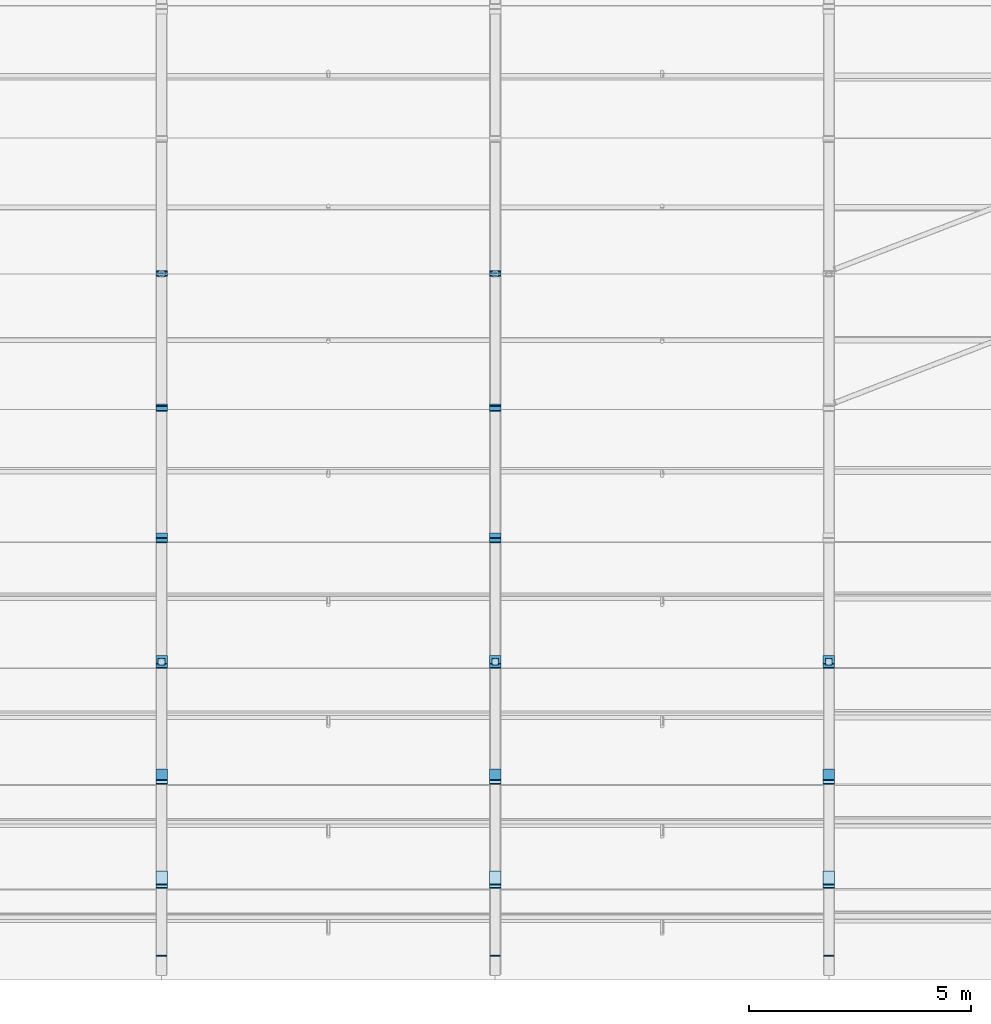
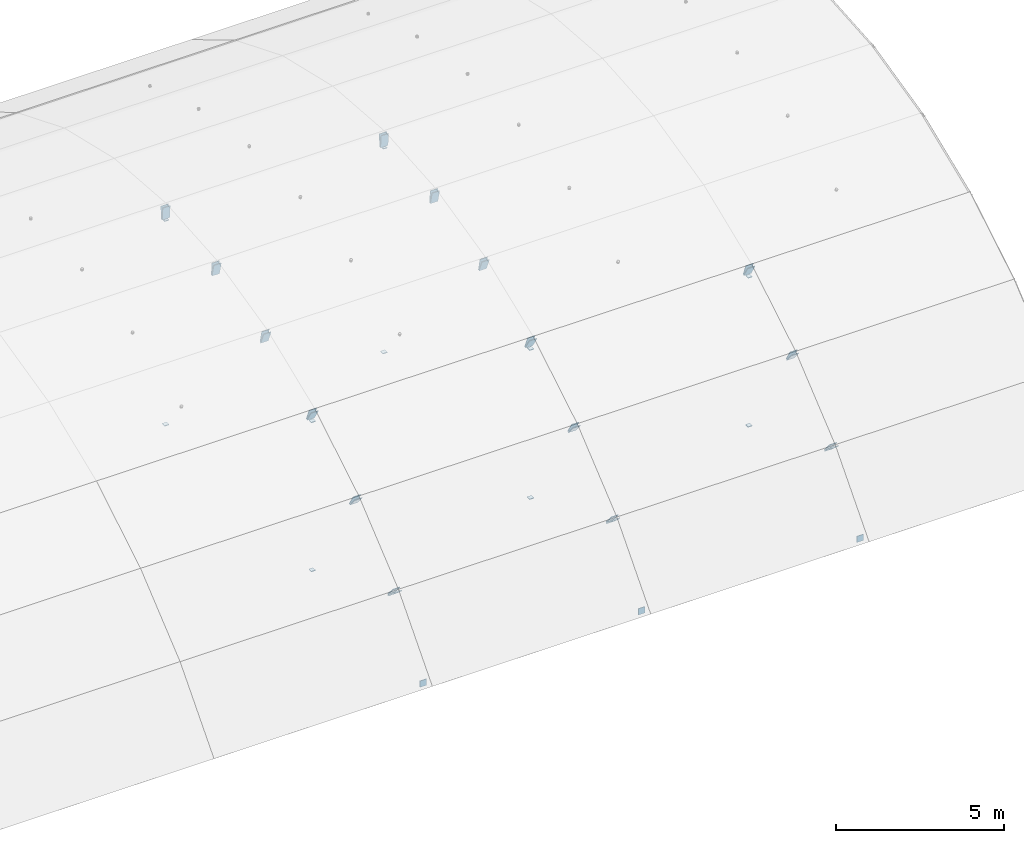
# One storey, part 52 of 77: 43 plates.
"""IFC4 building model written with IfcOpenShell, lengths in metres."""

from ifc_helpers import new_model, si_unit, direction, frame, origin, origin_2d, place, context, subcontext, project, spatial, rectangle, extrude, material, layer, layer_set, type_object, element, save


model = new_model("IFC4")

# Units and contexts
model_context = context("Model", 3, precision=1e-05, world=origin(), true_north=direction((0.0, 1.0)))
body_context = subcontext(model_context, "Body", "Model", "MODEL_VIEW")
ifc_project = project(units=[si_unit("LENGTHUNIT", "METRE"), si_unit("AREAUNIT", "SQUARE_METRE"), si_unit("VOLUMEUNIT", "CUBIC_METRE"), si_unit("PLANEANGLEUNIT", "RADIAN"), si_unit("MASSUNIT", "GRAM", prefix="KILO")], contexts=[model_context])

# Site, building, storey
site_placement = place(None, origin())
site = spatial("IfcSite", under=ifc_project, at=site_placement, CompositionType="ELEMENT")
building_placement = place(site_placement, origin())
building = spatial("IfcBuilding", under=site, at=building_placement, Name="Yukiwa Park Conservatory and Herbarium", CompositionType="ELEMENT")
storey_placement = place(building_placement, frame((0.0, 0.0, 13.199951171875)))
storey = spatial("IfcBuildingStorey", under=building, at=storey_placement, Name="L03", CompositionType="ELEMENT", Elevation=13.199951171875)

# Plates
ifc_material_1 = material(Name="Steel Q355D", Category="steel")
ifc_layer_1 = layer(ifc_material_1, 0.02392578125)
ifc_layer_set_1 = layer_set([ifc_layer_1], Name="Steel Q355D")
plate_type_1 = type_object("IfcPlateType", Name="PL-CAP-24", PredefinedType="USERDEFINED", material=ifc_layer_set_1)
for number, where, z_axis, x_axis, name in (
    (1, (37.5, 1.96044921875, -1.968017578125), (0.0, 0.659940990637, 0.751317435494), (-1.0, 0.0, 0.0), "Hollow section end cap plate CAP-RIB06-C01B"),
    (2, (37.5, 2.031494140625, -1.90087890625), (0.0, -0.76570486479, -0.643192086423), (1.0, 0.0, 0.0), "Hollow section end cap plate CAP-RIB06-C02A"),
    (3, (37.5, 4.267822265625, -0.034423828125), (0.0, 0.76570486479, 0.643192086423), (-1.0, 0.0, 0.0), "Hollow section end cap plate CAP-RIB06-C02B"),
    (4, (37.5, 4.34814453125, 0.02099609375), (0.0, -0.854787515222, -0.518978134242), (1.0, 0.0, 0.0), "Hollow section end cap plate CAP-RIB06-C03A"),
):
    element("IfcPlate", number, at=place(storey_placement, frame(where, z_axis=z_axis, x_axis=x_axis)), inside=storey, type_object=plate_type_1, Name=name, ObjectType="END CAP PLATE", PredefinedType="USERDEFINED", context=body_context, shape_type="SweptSolid", body=[
        extrude(rectangle(XDim=0.258056640625, YDim=0.4580078125, at=origin_2d()), origin(), (0.0, 0.0, 1.0), 0.02392578125),
    ])
plate_1_placement = place(storey_placement, frame((37.5, 6.844970703125, 1.520751953125), z_axis=(0.0, 0.857492925713, 0.514495755428), x_axis=(-1.0, 0.0, 0.0)))
element("IfcPlate", 5, at=plate_1_placement, inside=storey, type_object=plate_type_1, Name="Hollow section end cap plate CAP-RIB06-C03B", ObjectType="END CAP PLATE", PredefinedType="USERDEFINED", context=body_context, shape_type="SweptSolid", body=[
    extrude(rectangle(XDim=0.258056640625, YDim=0.4580078125, at=origin_2d()), origin(), (0.0, 0.0, 1.0), 0.024169921875),
])
for number, where, z_axis, x_axis, name in (
    (6, (37.5, 6.93310546875, 1.563232421875), (0.0, -0.926355609378, -0.376650082934), (1.0, 0.0, 0.0), "Hollow section end cap plate CAP-RIB06-C04A"),
    (7, (37.5, 9.631103515625, 2.660888671875), (0.0, 0.926355609378, 0.376650082934), (-1.0, 0.0, 0.0), "Hollow section end cap plate CAP-RIB06-C04B"),
    (8, (37.5, 9.724609375, 2.689208984375), (0.0, -0.974732318528, -0.223376156329), (1.0, 0.0, 0.0), "Hollow section end cap plate CAP-RIB06-C05A"),
):
    element("IfcPlate", number, at=place(storey_placement, frame(where, z_axis=z_axis, x_axis=x_axis)), inside=storey, type_object=plate_type_1, Name=name, ObjectType="END CAP PLATE", PredefinedType="USERDEFINED", context=body_context, shape_type="SweptSolid", body=[
        extrude(rectangle(XDim=0.258056640625, YDim=0.4580078125, at=origin_2d()), origin(), (0.0, 0.0, 1.0), 0.02392578125),
    ])
plate_2_placement = place(storey_placement, frame((37.5, 12.559326171875, 3.3583984375), z_axis=(0.0, 0.972479178012, 0.232989803065), x_axis=(-1.0, 0.0, 0.0)))
element("IfcPlate", 9, at=plate_2_placement, inside=storey, type_object=plate_type_1, Name="Hollow section end cap plate CAP-RIB06-C05B", ObjectType="END CAP PLATE", PredefinedType="USERDEFINED", context=body_context, shape_type="SweptSolid", body=[
    extrude(rectangle(XDim=0.258056640625, YDim=0.4580078125, at=origin_2d()), origin(), (0.0, 0.0, 1.0), 0.024169921875),
])
for number, where, z_axis, x_axis, name in (
    (10, (37.5, 12.656005859375, 3.3720703125), (0.0, -0.997458699831, -0.071247049988), (1.0, 0.0, 0.0), "Hollow section end cap plate CAP-RIB06-C06A"),
    (11, (37.5, 15.56005859375, 3.596923828125), (0.0, 0.996684615823, 0.081362009455), (-1.0, 0.0, 0.0), "Hollow section end cap plate CAP-RIB06-C06B"),
    (12, (37.5, 15.65771484375, 3.595458984375), (0.0, -0.996684615823, 0.081362009455), (1.0, 0.0, 0.0), "Hollow section end cap plate CAP-RIB06-C07A"),
    (13, (45.0, 1.96044921875, -1.968017578125), (0.0, 0.659940990637, 0.751317435494), (-1.0, 0.0, 0.0), "Hollow section end cap plate CAP-RIB07-C01B"),
    (14, (45.0, 2.031494140625, -1.90087890625), (0.0, -0.76570486479, -0.643192086423), (1.0, 0.0, 0.0), "Hollow section end cap plate CAP-RIB07-C02A"),
    (15, (45.0, 4.267822265625, -0.034423828125), (0.0, 0.76570486479, 0.643192086423), (-1.0, 0.0, 0.0), "Hollow section end cap plate CAP-RIB07-C02B"),
    (16, (45.0, 4.34814453125, 0.02099609375), (0.0, -0.854787515222, -0.518978134242), (1.0, 0.0, 0.0), "Hollow section end cap plate CAP-RIB07-C03A"),
):
    element("IfcPlate", number, at=place(storey_placement, frame(where, z_axis=z_axis, x_axis=x_axis)), inside=storey, type_object=plate_type_1, Name=name, ObjectType="END CAP PLATE", PredefinedType="USERDEFINED", context=body_context, shape_type="SweptSolid", body=[
        extrude(rectangle(XDim=0.258056640625, YDim=0.4580078125, at=origin_2d()), origin(), (0.0, 0.0, 1.0), 0.02392578125),
    ])
plate_3_placement = place(storey_placement, frame((45.0, 6.844970703125, 1.520751953125), z_axis=(0.0, 0.857492925713, 0.514495755428), x_axis=(-1.0, 0.0, 0.0)))
element("IfcPlate", 17, at=plate_3_placement, inside=storey, type_object=plate_type_1, Name="Hollow section end cap plate CAP-RIB07-C03B", ObjectType="END CAP PLATE", PredefinedType="USERDEFINED", context=body_context, shape_type="SweptSolid", body=[
    extrude(rectangle(XDim=0.258056640625, YDim=0.4580078125, at=origin_2d()), origin(), (0.0, 0.0, 1.0), 0.024169921875),
])
for number, where, z_axis, x_axis, name in (
    (18, (45.0, 6.93310546875, 1.563232421875), (0.0, -0.926355609378, -0.376650082934), (1.0, 0.0, 0.0), "Hollow section end cap plate CAP-RIB07-C04A"),
    (19, (45.0, 9.631103515625, 2.660888671875), (0.0, 0.926355609378, 0.376650082934), (-1.0, 0.0, 0.0), "Hollow section end cap plate CAP-RIB07-C04B"),
    (20, (45.0, 9.724609375, 2.689208984375), (0.0, -0.974732318528, -0.223376156329), (1.0, 0.0, 0.0), "Hollow section end cap plate CAP-RIB07-C05A"),
):
    element("IfcPlate", number, at=place(storey_placement, frame(where, z_axis=z_axis, x_axis=x_axis)), inside=storey, type_object=plate_type_1, Name=name, ObjectType="END CAP PLATE", PredefinedType="USERDEFINED", context=body_context, shape_type="SweptSolid", body=[
        extrude(rectangle(XDim=0.258056640625, YDim=0.4580078125, at=origin_2d()), origin(), (0.0, 0.0, 1.0), 0.02392578125),
    ])
plate_4_placement = place(storey_placement, frame((45.0, 12.559326171875, 3.3583984375), z_axis=(0.0, 0.972479178012, 0.232989803065), x_axis=(-1.0, 0.0, 0.0)))
element("IfcPlate", 21, at=plate_4_placement, inside=storey, type_object=plate_type_1, Name="Hollow section end cap plate CAP-RIB07-C05B", ObjectType="END CAP PLATE", PredefinedType="USERDEFINED", context=body_context, shape_type="SweptSolid", body=[
    extrude(rectangle(XDim=0.258056640625, YDim=0.4580078125, at=origin_2d()), origin(), (0.0, 0.0, 1.0), 0.024169921875),
])
for number, where, z_axis, x_axis, name in (
    (22, (45.0, 12.656005859375, 3.3720703125), (0.0, -0.997458699831, -0.071247049988), (1.0, 0.0, 0.0), "Hollow section end cap plate CAP-RIB07-C06A"),
    (23, (45.0, 15.56005859375, 3.596923828125), (0.0, 0.996684615823, 0.081362009455), (-1.0, 0.0, 0.0), "Hollow section end cap plate CAP-RIB07-C06B"),
    (24, (45.0, 15.65771484375, 3.595458984375), (0.0, -0.996684615823, 0.081362009455), (1.0, 0.0, 0.0), "Hollow section end cap plate CAP-RIB07-C07A"),
    (25, (52.5, 1.96044921875, -1.968017578125), (0.0, 0.659940990637, 0.751317435494), (-1.0, 0.0, 0.0), "Hollow section end cap plate CAP-RIB08-C01B"),
    (26, (52.5, 2.031494140625, -1.90087890625), (0.0, -0.76570486479, -0.643192086423), (1.0, 0.0, 0.0), "Hollow section end cap plate CAP-RIB08-C02A"),
    (27, (52.5, 4.267822265625, -0.034423828125), (0.0, 0.76570486479, 0.643192086423), (-1.0, 0.0, 0.0), "Hollow section end cap plate CAP-RIB08-C02B"),
    (28, (52.5, 4.34814453125, 0.02099609375), (0.0, -0.854787515222, -0.518978134242), (1.0, 0.0, 0.0), "Hollow section end cap plate CAP-RIB08-C03A"),
):
    element("IfcPlate", number, at=place(storey_placement, frame(where, z_axis=z_axis, x_axis=x_axis)), inside=storey, type_object=plate_type_1, Name=name, ObjectType="END CAP PLATE", PredefinedType="USERDEFINED", context=body_context, shape_type="SweptSolid", body=[
        extrude(rectangle(XDim=0.258056640625, YDim=0.4580078125, at=origin_2d()), origin(), (0.0, 0.0, 1.0), 0.02392578125),
    ])
plate_5_placement = place(storey_placement, frame((52.5, 6.844970703125, 1.520751953125), z_axis=(0.0, 0.857492925713, 0.514495755428), x_axis=(-1.0, 0.0, 0.0)))
element("IfcPlate", 29, at=plate_5_placement, inside=storey, type_object=plate_type_1, Name="Hollow section end cap plate CAP-RIB08-C03B", ObjectType="END CAP PLATE", PredefinedType="USERDEFINED", context=body_context, shape_type="SweptSolid", body=[
    extrude(rectangle(XDim=0.258056640625, YDim=0.4580078125, at=origin_2d()), origin(), (0.0, 0.0, 1.0), 0.024169921875),
])
plate_6_placement = place(storey_placement, frame((52.5, 6.93310546875, 1.563232421875), z_axis=(0.0, -0.926355609378, -0.376650082934), x_axis=(1.0, 0.0, 0.0)))
element("IfcPlate", 30, at=plate_6_placement, inside=storey, type_object=plate_type_1, Name="Hollow section end cap plate CAP-RIB08-C04A", ObjectType="END CAP PLATE", PredefinedType="USERDEFINED", context=body_context, shape_type="SweptSolid", body=[
    extrude(rectangle(XDim=0.258056640625, YDim=0.4580078125, at=origin_2d()), origin(), (0.0, 0.0, 1.0), 0.02392578125),
])
ifc_material_2 = material(Name="Steel Q355D", Category="steel")
ifc_layer_2 = layer(ifc_material_2, 0.02392578125)
ifc_layer_set_2 = layer_set([ifc_layer_2], Name="Steel Q355D")
plate_type_2 = type_object("IfcPlateType", Name="PL-CAP-24-INT", PredefinedType="USERDEFINED", material=ifc_layer_set_2)
plate_7_placement = place(storey_placement, frame((37.5, 0.2890625, -4.199951171875), z_axis=(0.0, -1.0, 0.0), x_axis=(1.0, 0.0, 0.0)))
element("IfcPlate", 31, at=plate_7_placement, inside=storey, type_object=plate_type_2, Name="Hollow section end cap plate CAP-VTIE-06-S", ObjectType="END CAP PLATE", PredefinedType="USERDEFINED", context=body_context, shape_type="SweptSolid", body=[
    extrude(rectangle(XDim=0.22705078125, YDim=0.22705078125, at=origin_2d()), origin(), (0.0, 0.0, 1.0), 0.024169921875),
])
for number, where, z_axis, x_axis, name in (
    (32, (37.5, 6.87939453125, -4.087890625), (0.0, 0.0, -1.0), (1.0, 0.0, 0.0), "Hollow section end cap plate CAP-VHNG-06-3B"),
    (33, (37.5, 6.87939453125, 1.30029296875), (0.0, 0.0, 1.0), (1.0, 0.0, 0.0), "Hollow section end cap plate CAP-VHNG-06-3T"),
    (34, (37.5, 15.60009765625, -4.087890625), (0.0, 0.0, -1.0), (1.0, 0.0, 0.0), "Hollow section end cap plate CAP-VHNG-06-6B"),
    (35, (37.5, 15.60009765625, 3.322998046875), (0.0, 0.0, 1.0), (1.0, 0.0, 0.0), "Hollow section end cap plate CAP-VHNG-06-6T"),
):
    element("IfcPlate", number, at=place(storey_placement, frame(where, z_axis=z_axis, x_axis=x_axis)), inside=storey, type_object=plate_type_2, Name=name, ObjectType="END CAP PLATE", PredefinedType="USERDEFINED", context=body_context, shape_type="SweptSolid", body=[
        extrude(rectangle(XDim=0.147705078125, YDim=0.147705078125, at=origin_2d()), origin(), (0.0, 0.0, 1.0), 0.024169921875),
    ])
plate_8_placement = place(storey_placement, frame((45.0, 0.2890625, -4.199951171875), z_axis=(0.0, -1.0, 0.0), x_axis=(1.0, 0.0, 0.0)))
element("IfcPlate", 36, at=plate_8_placement, inside=storey, type_object=plate_type_2, Name="Hollow section end cap plate CAP-VTIE-07-S", ObjectType="END CAP PLATE", PredefinedType="USERDEFINED", context=body_context, shape_type="SweptSolid", body=[
    extrude(rectangle(XDim=0.22705078125, YDim=0.22705078125, at=origin_2d()), origin(), (0.0, 0.0, 1.0), 0.024169921875),
])
for number, where, z_axis, x_axis, name in (
    (37, (45.0, 6.87939453125, -4.087890625), (0.0, 0.0, -1.0), (1.0, 0.0, 0.0), "Hollow section end cap plate CAP-VHNG-07-3B"),
    (38, (45.0, 6.87939453125, 1.30029296875), (0.0, 0.0, 1.0), (1.0, 0.0, 0.0), "Hollow section end cap plate CAP-VHNG-07-3T"),
    (39, (45.0, 15.60009765625, -4.087890625), (0.0, 0.0, -1.0), (1.0, 0.0, 0.0), "Hollow section end cap plate CAP-VHNG-07-6B"),
    (40, (45.0, 15.60009765625, 3.322998046875), (0.0, 0.0, 1.0), (1.0, 0.0, 0.0), "Hollow section end cap plate CAP-VHNG-07-6T"),
):
    element("IfcPlate", number, at=place(storey_placement, frame(where, z_axis=z_axis, x_axis=x_axis)), inside=storey, type_object=plate_type_2, Name=name, ObjectType="END CAP PLATE", PredefinedType="USERDEFINED", context=body_context, shape_type="SweptSolid", body=[
        extrude(rectangle(XDim=0.147705078125, YDim=0.147705078125, at=origin_2d()), origin(), (0.0, 0.0, 1.0), 0.024169921875),
    ])
plate_9_placement = place(storey_placement, frame((52.5, 0.2890625, -4.199951171875), z_axis=(0.0, -1.0, 0.0), x_axis=(1.0, 0.0, 0.0)))
element("IfcPlate", 41, at=plate_9_placement, inside=storey, type_object=plate_type_2, Name="Hollow section end cap plate CAP-VTIE-08-S", ObjectType="END CAP PLATE", PredefinedType="USERDEFINED", context=body_context, shape_type="SweptSolid", body=[
    extrude(rectangle(XDim=0.22705078125, YDim=0.22705078125, at=origin_2d()), origin(), (0.0, 0.0, 1.0), 0.024169921875),
])
for number, where, z_axis, x_axis, name in (
    (42, (52.5, 6.87939453125, -4.087890625), (0.0, 0.0, -1.0), (1.0, 0.0, 0.0), "Hollow section end cap plate CAP-VHNG-08-3B"),
    (43, (52.5, 6.87939453125, 1.30029296875), (0.0, 0.0, 1.0), (1.0, 0.0, 0.0), "Hollow section end cap plate CAP-VHNG-08-3T"),
):
    element("IfcPlate", number, at=place(storey_placement, frame(where, z_axis=z_axis, x_axis=x_axis)), inside=storey, type_object=plate_type_2, Name=name, ObjectType="END CAP PLATE", PredefinedType="USERDEFINED", context=body_context, shape_type="SweptSolid", body=[
        extrude(rectangle(XDim=0.147705078125, YDim=0.147705078125, at=origin_2d()), origin(), (0.0, 0.0, 1.0), 0.024169921875),
    ])

save(model, "model.ifc")
